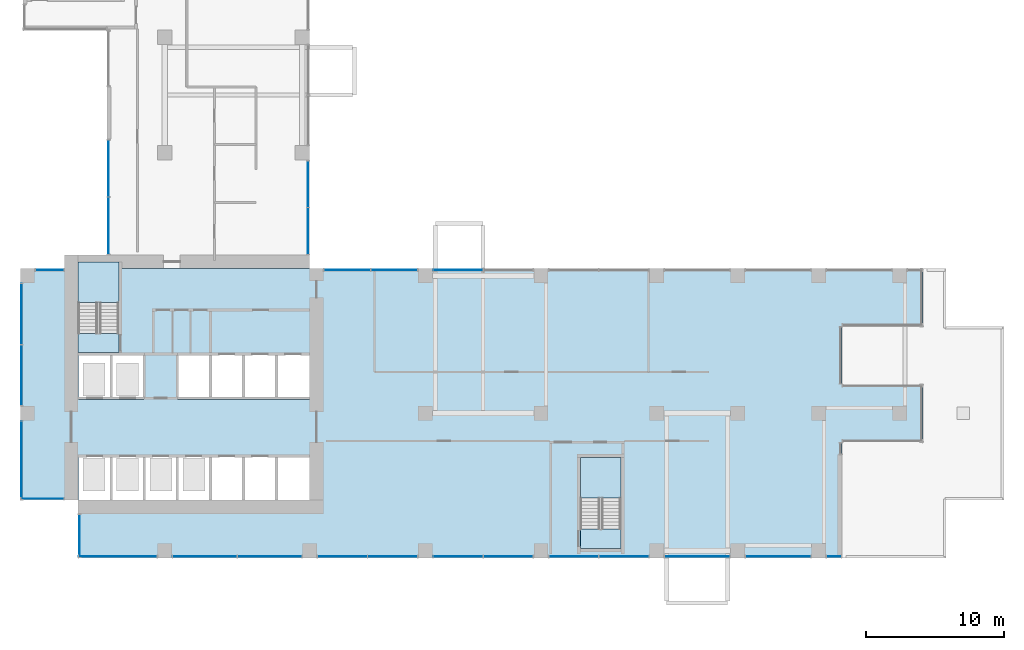
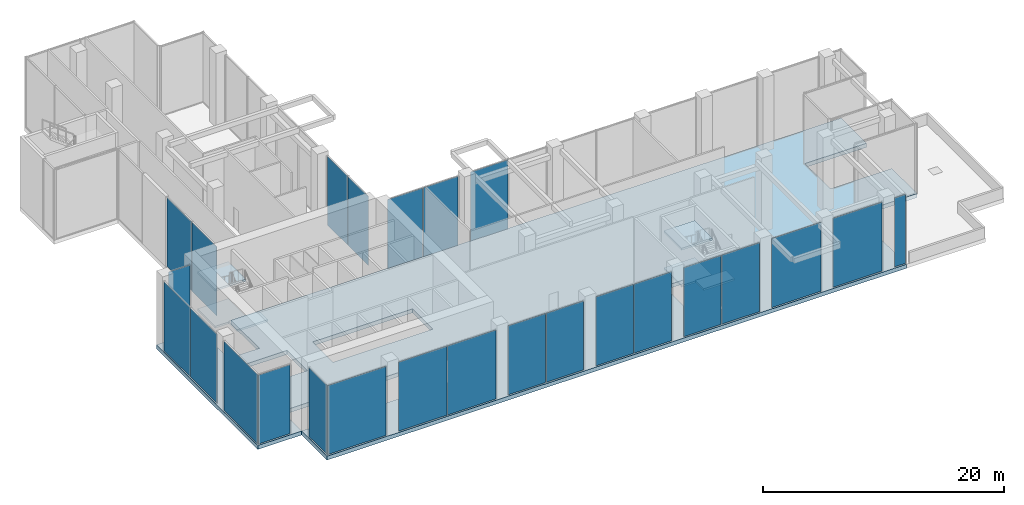
# One storey, part 8 of 18: 25 plates, 7 slabs, 19 elements without a shape of their own.
"""IFC4 building model written with IfcOpenShell, lengths in metres."""

from ifc_helpers import new_model, si_unit, direction, frame, origin, origin_2d, place, context, subcontext, project, spatial, polyline, rectangle, outline, extrude, source, transform, mapped, material, layer, layer_set, type_object, element, aggregate, save


model = new_model("IFC4")

# Units and contexts
model_context = context("Model", 3, precision=1e-05, world=origin(), true_north=direction((0.0, 1.0)))
body_context = subcontext(model_context, "Body", "Model", "MODEL_VIEW")
ifc_project = project(units=[si_unit("LENGTHUNIT", "METRE"), si_unit("AREAUNIT", "SQUARE_METRE"), si_unit("VOLUMEUNIT", "CUBIC_METRE"), si_unit("PLANEANGLEUNIT", "RADIAN"), si_unit("MASSUNIT", "GRAM", prefix="KILO")], contexts=[model_context])

# Site, building, storey
site_placement = place(None, origin())
site = spatial("IfcSite", under=ifc_project, at=site_placement, CompositionType="ELEMENT")
building_placement = place(site_placement, origin())
building = spatial("IfcBuilding", under=site, at=building_placement, Name="Aurelian Terraces", CompositionType="ELEMENT")
storey_placement = place(building_placement, frame((0.0, 0.0, 170.3)))
storey = spatial("IfcBuildingStorey", under=building, at=storey_placement, Name="L37", CompositionType="ELEMENT", Elevation=170.3)

# Curtain wall, plate
ifc_material_1 = material(Name="Anodised aluminium and clear glazing", Category="aluminium")
ifc_layer_1 = layer(ifc_material_1, 0.2)
ifc_layer_set_1 = layer_set([ifc_layer_1], Name="Lobby glazing curtain wall")
curtain_wall_type = type_object("IfcCurtainWallType", Name="Lobby glazing curtain wall", PredefinedType="NOTDEFINED", material=ifc_layer_set_1)
curtain_wall_1_placement = place(storey_placement, origin())
curtain_wall_1 = element("IfcCurtainWall", 1, at=curtain_wall_1_placement, inside=storey, type_object=curtain_wall_type, Name="Lobby glazing L37 F01.1", PredefinedType="NOTDEFINED")
ifc_material_2 = material(Name="Clear glazing", Category="glass")
ifc_layer_2 = layer(ifc_material_2, 0.028)
ifc_layer_set_2 = layer_set([ifc_layer_2], Name="Lobby glazing glazing panel")
plate_type = type_object("IfcPlateType", Name="Lobby glazing glazing panel", PredefinedType="CURTAIN_PANEL", material=ifc_layer_set_2)
plate_1_placement = place(storey_placement, frame((7.0875, 0.1, 0.06), z_axis=(0.0, 0.0, 1.0), x_axis=(1.0, 0.0, 0.0)))
plate_1 = element("IfcPlate", 2, at=plate_1_placement, type_object=plate_type, Name="CW2 panel 1.1", PredefinedType="CURTAIN_PANEL", context=body_context, shape_type="SweptSolid", body=[
    extrude(rectangle(XDim=5.655, YDim=0.028, at=origin_2d()), origin(), (0.0, 0.0, 1.0), 6.98),
])
aggregate(curtain_wall_1, [plate_1])

curtain_wall_2_placement = place(storey_placement, origin())
curtain_wall_2 = element("IfcCurtainWall", 3, at=curtain_wall_2_placement, inside=storey, type_object=curtain_wall_type, Name="Lobby glazing L37 F01.2", PredefinedType="NOTDEFINED")
plate_2_placement = place(storey_placement, frame((13.4025, 0.1, 0.06), z_axis=(0.0, 0.0, 1.0), x_axis=(1.0, 0.0, 0.0)))
plate_2 = element("IfcPlate", 4, at=plate_2_placement, type_object=plate_type, Name="CW2 panel 1.1", PredefinedType="CURTAIN_PANEL", context=body_context, shape_type="SweptSolid", body=[
    extrude(rectangle(XDim=4.635, YDim=0.028, at=origin_2d()), origin(), (0.0, 0.0, 1.0), 6.98),
])

curtain_wall_3_placement = place(storey_placement, origin())
curtain_wall_3 = element("IfcCurtainWall", 5, at=curtain_wall_3_placement, inside=storey, type_object=curtain_wall_type, Name="Lobby glazing L37 F01.3", PredefinedType="NOTDEFINED")
plate_3_placement = place(storey_placement, frame((23.3775, 0.1, 0.06), z_axis=(0.0, 0.0, 1.0), x_axis=(1.0, 0.0, 0.0)))
plate_3 = element("IfcPlate", 6, at=plate_3_placement, type_object=plate_type, Name="CW2 panel 1.1", PredefinedType="CURTAIN_PANEL", context=body_context, shape_type="SweptSolid", body=[
    extrude(rectangle(XDim=3.585, YDim=0.028, at=origin_2d()), origin(), (0.0, 0.0, 1.0), 6.98),
])

curtain_wall_4_placement = place(storey_placement, origin())
curtain_wall_4 = element("IfcCurtainWall", 7, at=curtain_wall_4_placement, inside=storey, type_object=curtain_wall_type, Name="Lobby glazing L37 F01.6", PredefinedType="NOTDEFINED")
plate_4_placement = place(storey_placement, frame((49.14, 0.1, 0.06), z_axis=(0.0, 0.0, 1.0), x_axis=(1.0, 0.0, 0.0)))
plate_4 = element("IfcPlate", 8, at=plate_4_placement, type_object=plate_type, Name="CW2 panel 1.1", PredefinedType="CURTAIN_PANEL", context=body_context, shape_type="SweptSolid", body=[
    extrude(rectangle(XDim=4.71, YDim=0.028, at=origin_2d()), origin(), (0.0, 0.0, 1.0), 6.98),
])
aggregate(curtain_wall_4, [plate_4])

curtain_wall_5_placement = place(storey_placement, origin())
curtain_wall_5 = element("IfcCurtainWall", 9, at=curtain_wall_5_placement, inside=storey, type_object=curtain_wall_type, Name="Lobby glazing L37 F01.8", PredefinedType="NOTDEFINED")
plate_5_placement = place(storey_placement, frame((59.0625, 0.1, 0.06), z_axis=(0.0, 0.0, 1.0), x_axis=(1.0, 0.0, 0.0)))
plate_5 = element("IfcPlate", 10, at=plate_5_placement, type_object=plate_type, Name="CW2 panel 1.1", PredefinedType="CURTAIN_PANEL", context=body_context, shape_type="SweptSolid", body=[
    extrude(rectangle(XDim=1.035, YDim=0.028, at=origin_2d()), origin(), (0.0, 0.0, 1.0), 6.98),
])
aggregate(curtain_wall_5, [plate_5])

curtain_wall_6_placement = place(storey_placement, origin())
curtain_wall_6 = element("IfcCurtainWall", 11, at=curtain_wall_6_placement, inside=storey, type_object=curtain_wall_type, Name="Lobby glazing L37 F09.7", PredefinedType="NOTDEFINED")
plate_6_placement = place(storey_placement, frame((27.1412, 20.9, 0.06), z_axis=(0.0, 0.0, 1.0), x_axis=(-1.0, 0.0, 0.0)))
plate_6 = element("IfcPlate", 12, at=plate_6_placement, type_object=plate_type, Name="CW2 panel 1.1", PredefinedType="CURTAIN_PANEL", context=body_context, shape_type="SweptSolid", body=[
    extrude(rectangle(XDim=3.3475, YDim=0.028, at=origin_2d()), origin(), (0.0, 0.0, 1.0), 6.98),
])

curtain_wall_7_placement = place(storey_placement, origin())
curtain_wall_7 = element("IfcCurtainWall", 13, at=curtain_wall_7_placement, inside=storey, type_object=curtain_wall_type, Name="Lobby glazing L37 F18.3", PredefinedType="NOTDEFINED")
plate_7_placement = place(storey_placement, frame((6.4, 28.285, 0.06), z_axis=(0.0, 0.0, 1.0), x_axis=(0.0, -1.0, 0.0)))
plate_7 = element("IfcPlate", 14, at=plate_7_placement, type_object=plate_type, Name="CW2 panel 1.1", PredefinedType="CURTAIN_PANEL", context=body_context, shape_type="SweptSolid", body=[
    extrude(rectangle(XDim=4.11, YDim=0.028, at=origin_2d()), origin(), (0.0, 0.0, 1.0), 6.98),
])

curtain_wall_8_placement = place(storey_placement, origin())
curtain_wall_8 = element("IfcCurtainWall", 15, at=curtain_wall_8_placement, inside=storey, type_object=curtain_wall_type, Name="Lobby glazing L37 F21.1", PredefinedType="NOTDEFINED")
plate_8_placement = place(storey_placement, frame((2.125, 20.9, 0.06), z_axis=(0.0, 0.0, 1.0), x_axis=(-1.0, 0.0, 0.0)))
plate_8 = element("IfcPlate", 16, at=plate_8_placement, type_object=plate_type, Name="CW2 panel 1.1", PredefinedType="CURTAIN_PANEL", context=body_context, shape_type="SweptSolid", body=[
    extrude(rectangle(XDim=2.03, YDim=0.028, at=origin_2d()), origin(), (0.0, 0.0, 1.0), 6.98),
])
aggregate(curtain_wall_8, [plate_8])

curtain_wall_9_placement = place(storey_placement, origin())
curtain_wall_9 = element("IfcCurtainWall", 17, at=curtain_wall_9_placement, inside=storey, type_object=curtain_wall_type, Name="Lobby glazing L37 F22.1", PredefinedType="NOTDEFINED")
plate_9_placement = place(storey_placement, frame((0.1, 17.7038, 0.06), z_axis=(0.0, 0.0, 1.0), x_axis=(0.0, -1.0, 0.0)))
plate_9 = element("IfcPlate", 18, at=plate_9_placement, type_object=plate_type, Name="CW2 panel 1.1", PredefinedType="CURTAIN_PANEL", context=body_context, shape_type="SweptSolid", body=[
    extrude(rectangle(XDim=4.3725, YDim=0.028, at=origin_2d()), origin(), (0.0, 0.0, 1.0), 6.98),
])

curtain_wall_10_placement = place(storey_placement, origin())
curtain_wall_10 = element("IfcCurtainWall", 19, at=curtain_wall_10_placement, inside=storey, type_object=curtain_wall_type, Name="Lobby glazing L37 F23.1", PredefinedType="NOTDEFINED")
plate_10_placement = place(storey_placement, frame((1.6, 4.3, 0.06), z_axis=(0.0, 0.0, 1.0), x_axis=(1.0, 0.0, 0.0)))
plate_10 = element("IfcPlate", 20, at=plate_10_placement, type_object=plate_type, Name="CW2 panel 1.1", PredefinedType="CURTAIN_PANEL", context=body_context, shape_type="SweptSolid", body=[
    extrude(rectangle(XDim=3.08, YDim=0.028, at=origin_2d()), origin(), (0.0, 0.0, 1.0), 6.98),
])
aggregate(curtain_wall_10, [plate_10])

# Slab
ifc_material_3 = material(Name="Concrete fc' 40 MPa", Category="concrete")
ifc_layer_3 = layer(ifc_material_3, 0.4)
ifc_layer_set_3 = layer_set([ifc_layer_3], Name="PT FLAT PLATE 400")
slab_type_1 = type_object("IfcSlabType", Name="PT FLAT PLATE 400", PredefinedType="FLOOR", material=ifc_layer_set_3)
slab_1_placement = place(storey_placement, frame((0.0, 0.0, -0.4)))
element("IfcSlab", 21, at=slab_1_placement, inside=storey, type_object=slab_type_1, Name="Floor slab S L37", PredefinedType="FLOOR", context=body_context, shape_type="SweptSolid", body=[
    extrude(outline(polyline([(4.2, 0.0), (4.2, 4.2), (0.0, 4.2), (0.0, 21.0), (4.21, 21.0), (4.21, 16.31), (7.14, 16.31), (7.14, 21.0), (21.0, 21.0), (65.52, 21.0), (65.52, 16.8), (59.64, 16.8), (59.64, 12.6), (65.52, 12.6), (65.52, 8.4), (59.64, 8.4), (59.64, 0.0), (21.0, 0.0), (4.2, 0.0)]), holes=[polyline([(40.66, 2.11), (43.59, 2.11), (43.59, 7.29), (40.66, 7.29), (40.66, 2.11)]), polyline([(4.21, 7.49), (4.21, 4.21), (20.99, 4.21), (20.99, 7.49), (4.21, 7.49)]), polyline([(11.41, 14.89), (11.41, 11.51), (20.99, 11.51), (20.99, 14.89), (11.41, 14.89)]), polyline([(8.99, 11.51), (8.99, 14.89), (4.21, 14.89), (4.21, 11.51), (8.99, 11.51)])]), origin(), (0.0, 0.0, 1.0), 0.4),
])

# Plate
shared_shape_1 = source(origin(), body_context, "Body", "SweptSolid", [
    extrude(rectangle(XDim=4.635, YDim=0.028, at=origin_2d()), origin(), (0.0, 0.0, 1.0), 6.98),
])
plate_11_placement = place(storey_placement, frame((18.0975, 0.1, 0.06), z_axis=(0.0, 0.0, 1.0), x_axis=(1.0, 0.0, 0.0)))
plate_11 = element("IfcPlate", 22, at=plate_11_placement, type_object=plate_type, Name="CW2 panel 2.1", PredefinedType="CURTAIN_PANEL", context=body_context, shape_type="MappedRepresentation", body=[
    mapped(shared_shape_1, transform((0.0, 0.0, 0.0), scale=1.0)),
])

aggregate(curtain_wall_2, [plate_2, plate_11])

shared_shape_2 = source(origin(), body_context, "Body", "SweptSolid", [
    extrude(rectangle(XDim=3.585, YDim=0.028, at=origin_2d()), origin(), (0.0, 0.0, 1.0), 6.98),
])
plate_12_placement = place(storey_placement, frame((27.0225, 0.1, 0.06), z_axis=(0.0, 0.0, 1.0), x_axis=(1.0, 0.0, 0.0)))
plate_12 = element("IfcPlate", 23, at=plate_12_placement, type_object=plate_type, Name="CW2 panel 2.1", PredefinedType="CURTAIN_PANEL", context=body_context, shape_type="MappedRepresentation", body=[
    mapped(shared_shape_2, transform((0.0, 0.0, 0.0), scale=1.0)),
])

aggregate(curtain_wall_3, [plate_3, plate_12])

# Curtain wall, plates
curtain_wall_11_placement = place(storey_placement, origin())
curtain_wall_11 = element("IfcCurtainWall", 24, at=curtain_wall_11_placement, inside=storey, type_object=curtain_wall_type, Name="Lobby glazing L37 F01.4", PredefinedType="NOTDEFINED")
plate_13_placement = place(storey_placement, frame((31.7775, 0.1, 0.06), z_axis=(0.0, 0.0, 1.0), x_axis=(1.0, 0.0, 0.0)))
plate_13 = element("IfcPlate", 25, at=plate_13_placement, type_object=plate_type, Name="CW2 panel 1.1", PredefinedType="CURTAIN_PANEL", context=body_context, shape_type="MappedRepresentation", body=[
    mapped(shared_shape_2, transform((0.0, 0.0, 0.0), scale=1.0)),
])
plate_14_placement = place(storey_placement, frame((35.4225, 0.1, 0.06), z_axis=(0.0, 0.0, 1.0), x_axis=(1.0, 0.0, 0.0)))
plate_14 = element("IfcPlate", 26, at=plate_14_placement, type_object=plate_type, Name="CW2 panel 2.1", PredefinedType="CURTAIN_PANEL", context=body_context, shape_type="MappedRepresentation", body=[
    mapped(shared_shape_2, transform((0.0, 0.0, 0.0), scale=1.0)),
])
aggregate(curtain_wall_11, [plate_13, plate_14])

curtain_wall_12_placement = place(storey_placement, origin())
curtain_wall_12 = element("IfcCurtainWall", 27, at=curtain_wall_12_placement, inside=storey, type_object=curtain_wall_type, Name="Lobby glazing L37 F01.5", PredefinedType="NOTDEFINED")
plate_15_placement = place(storey_placement, frame((40.1775, 0.1, 0.06), z_axis=(0.0, 0.0, 1.0), x_axis=(1.0, 0.0, 0.0)))
plate_15 = element("IfcPlate", 28, at=plate_15_placement, type_object=plate_type, Name="CW2 panel 1.1", PredefinedType="CURTAIN_PANEL", context=body_context, shape_type="MappedRepresentation", body=[
    mapped(shared_shape_2, transform((0.0, 0.0, 0.0), scale=1.0)),
])
plate_16_placement = place(storey_placement, frame((43.8225, 0.1, 0.06), z_axis=(0.0, 0.0, 1.0), x_axis=(1.0, 0.0, 0.0)))
plate_16 = element("IfcPlate", 29, at=plate_16_placement, type_object=plate_type, Name="CW2 panel 2.1", PredefinedType="CURTAIN_PANEL", context=body_context, shape_type="MappedRepresentation", body=[
    mapped(shared_shape_2, transform((0.0, 0.0, 0.0), scale=1.0)),
])
aggregate(curtain_wall_12, [plate_15, plate_16])

# Curtain wall, plate
curtain_wall_13_placement = place(storey_placement, origin())
curtain_wall_13 = element("IfcCurtainWall", 30, at=curtain_wall_13_placement, inside=storey, type_object=curtain_wall_type, Name="Lobby glazing L37 F09.6", PredefinedType="NOTDEFINED")
plate_17_placement = place(storey_placement, frame((31.7775, 20.9, 0.06), z_axis=(0.0, 0.0, 1.0), x_axis=(-1.0, 0.0, 0.0)))
plate_17 = element("IfcPlate", 31, at=plate_17_placement, type_object=plate_type, Name="CW2 panel 2.1", PredefinedType="CURTAIN_PANEL", context=body_context, shape_type="MappedRepresentation", body=[
    mapped(shared_shape_2, transform((0.0, 0.0, 0.0), scale=1.0)),
])
aggregate(curtain_wall_13, [plate_17])

curtain_wall_14_placement = place(storey_placement, origin())
curtain_wall_14 = element("IfcCurtainWall", 32, at=curtain_wall_14_placement, inside=storey, type_object=curtain_wall_type, Name="Lobby glazing L37 F01.7", PredefinedType="NOTDEFINED")
shared_shape_3 = source(origin(), body_context, "Body", "SweptSolid", [
    extrude(rectangle(XDim=4.71, YDim=0.028, at=origin_2d()), origin(), (0.0, 0.0, 1.0), 6.98),
])
plate_18_placement = place(storey_placement, frame((55.02, 0.1, 0.06), z_axis=(0.0, 0.0, 1.0), x_axis=(1.0, 0.0, 0.0)))
plate_18 = element("IfcPlate", 33, at=plate_18_placement, type_object=plate_type, Name="CW2 panel 1.1", PredefinedType="CURTAIN_PANEL", context=body_context, shape_type="MappedRepresentation", body=[
    mapped(shared_shape_3, transform((0.0, 0.0, 0.0), scale=1.0)),
])
aggregate(curtain_wall_14, [plate_18])

# Plate
shared_shape_4 = source(origin(), body_context, "Body", "SweptSolid", [
    extrude(rectangle(XDim=3.3475, YDim=0.028, at=origin_2d()), origin(), (0.0, 0.0, 1.0), 6.98),
])
plate_19_placement = place(storey_placement, frame((23.7338, 20.9, 0.06), z_axis=(0.0, 0.0, 1.0), x_axis=(-1.0, 0.0, 0.0)))
plate_19 = element("IfcPlate", 34, at=plate_19_placement, type_object=plate_type, Name="CW2 panel 2.1", PredefinedType="CURTAIN_PANEL", context=body_context, shape_type="MappedRepresentation", body=[
    mapped(shared_shape_4, transform((0.0, 0.0, 0.0), scale=1.0)),
])

aggregate(curtain_wall_6, [plate_6, plate_19])

# Curtain wall, plates
curtain_wall_15_placement = place(storey_placement, origin())
curtain_wall_15 = element("IfcCurtainWall", 35, at=curtain_wall_15_placement, inside=storey, type_object=curtain_wall_type, Name="Lobby glazing L37 F10.1", PredefinedType="NOTDEFINED")
plate_20_placement = place(storey_placement, frame((20.9, 23.7338, 0.06), z_axis=(0.0, 0.0, 1.0), x_axis=(0.0, 1.0, 0.0)))
plate_20 = element("IfcPlate", 36, at=plate_20_placement, type_object=plate_type, Name="CW2 panel 1.1", PredefinedType="CURTAIN_PANEL", context=body_context, shape_type="MappedRepresentation", body=[
    mapped(shared_shape_4, transform((0.0, 0.0, 0.0), scale=1.0)),
])
plate_21_placement = place(storey_placement, frame((20.9, 27.1412, 0.06), z_axis=(0.0, 0.0, 1.0), x_axis=(0.0, 1.0, 0.0)))
plate_21 = element("IfcPlate", 37, at=plate_21_placement, type_object=plate_type, Name="CW2 panel 2.1", PredefinedType="CURTAIN_PANEL", context=body_context, shape_type="MappedRepresentation", body=[
    mapped(shared_shape_4, transform((0.0, 0.0, 0.0), scale=1.0)),
])
aggregate(curtain_wall_15, [plate_20, plate_21])

# Plate
shared_shape_5 = source(origin(), body_context, "Body", "SweptSolid", [
    extrude(rectangle(XDim=4.11, YDim=0.028, at=origin_2d()), origin(), (0.0, 0.0, 1.0), 6.98),
])
plate_22_placement = place(storey_placement, frame((6.4, 24.115, 0.06), z_axis=(0.0, 0.0, 1.0), x_axis=(0.0, -1.0, 0.0)))
plate_22 = element("IfcPlate", 38, at=plate_22_placement, type_object=plate_type, Name="CW2 panel 2.1", PredefinedType="CURTAIN_PANEL", context=body_context, shape_type="MappedRepresentation", body=[
    mapped(shared_shape_5, transform((0.0, 0.0, 0.0), scale=1.0)),
])

aggregate(curtain_wall_7, [plate_7, plate_22])

shared_shape_6 = source(origin(), body_context, "Body", "SweptSolid", [
    extrude(rectangle(XDim=4.3725, YDim=0.028, at=origin_2d()), origin(), (0.0, 0.0, 1.0), 6.98),
])
plate_23_placement = place(storey_placement, frame((0.1, 13.2712, 0.06), z_axis=(0.0, 0.0, 1.0), x_axis=(0.0, -1.0, 0.0)))
plate_23 = element("IfcPlate", 39, at=plate_23_placement, type_object=plate_type, Name="CW2 panel 2.1", PredefinedType="CURTAIN_PANEL", context=body_context, shape_type="MappedRepresentation", body=[
    mapped(shared_shape_6, transform((0.0, 0.0, 0.0), scale=1.0)),
])

aggregate(curtain_wall_9, [plate_9, plate_23])

# Curtain wall, plate
curtain_wall_16_placement = place(storey_placement, origin())
curtain_wall_16 = element("IfcCurtainWall", 40, at=curtain_wall_16_placement, inside=storey, type_object=curtain_wall_type, Name="Lobby glazing L37 F22.2", PredefinedType="NOTDEFINED")
shared_shape_7 = source(origin(), body_context, "Body", "SweptSolid", [
    extrude(rectangle(XDim=5.655, YDim=0.028, at=origin_2d()), origin(), (0.0, 0.0, 1.0), 6.98),
])
plate_24_placement = place(storey_placement, frame((0.1, 7.0875, 0.06), z_axis=(0.0, 0.0, 1.0), x_axis=(0.0, -1.0, 0.0)))
plate_24 = element("IfcPlate", 41, at=plate_24_placement, type_object=plate_type, Name="CW2 panel 1.1", PredefinedType="CURTAIN_PANEL", context=body_context, shape_type="MappedRepresentation", body=[
    mapped(shared_shape_7, transform((0.0, 0.0, 0.0), scale=1.0)),
])
aggregate(curtain_wall_16, [plate_24])

curtain_wall_17_placement = place(storey_placement, origin())
curtain_wall_17 = element("IfcCurtainWall", 42, at=curtain_wall_17_placement, inside=storey, type_object=curtain_wall_type, Name="Lobby glazing L37 F24.1", PredefinedType="NOTDEFINED")
shared_shape_8 = source(origin(), body_context, "Body", "SweptSolid", [
    extrude(rectangle(XDim=3.08, YDim=0.028, at=origin_2d()), origin(), (0.0, 0.0, 1.0), 6.98),
])
plate_25_placement = place(storey_placement, frame((4.3, 1.6, 0.06), z_axis=(0.0, 0.0, 1.0), x_axis=(0.0, -1.0, 0.0)))
plate_25 = element("IfcPlate", 43, at=plate_25_placement, type_object=plate_type, Name="CW2 panel 1.1", PredefinedType="CURTAIN_PANEL", context=body_context, shape_type="MappedRepresentation", body=[
    mapped(shared_shape_8, transform((0.0, 0.0, 0.0), scale=1.0)),
])
aggregate(curtain_wall_17, [plate_25])

# Stair, slabs
stair_type = type_object("IfcStairType", Name="Stair 1400", PredefinedType="HALF_TURN_STAIR", material=ifc_material_3)
stair_1_placement = place(storey_placement, origin())
stair_1 = element("IfcStair", 44, at=stair_1_placement, inside=storey, type_object=stair_type, Name="L37 S1", PredefinedType="HALF_TURN_STAIR")
ifc_layer_4 = layer(ifc_material_3, 0.2)
ifc_layer_set_4 = layer_set([ifc_layer_4], Name="Stair landing 200")
slab_type_2 = type_object("IfcSlabType", Name="Stair landing 200", PredefinedType="LANDING", material=ifc_layer_set_4)
shared_shape_9 = source(origin(), body_context, "Body", "SweptSolid", [
    extrude(outline(polyline([(7.15, 18.55), (7.15, 21.5), (4.2, 21.5), (4.2, 18.55), (7.15, 18.55)])), origin(), (0.0, 0.0, 1.0), 0.2),
])
slab_2_placement = place(storey_placement, frame((0.0, 0.0, 1.675)))
slab_2 = element("IfcSlab", 45, at=slab_2_placement, type_object=slab_type_2, Name="S1 landing 1", PredefinedType="LANDING", context=body_context, shape_type="MappedRepresentation", body=[
    mapped(shared_shape_9, transform((0.0, 0.0, 0.0), scale=1.0)),
])
slab_3_placement = place(storey_placement, frame((0.0, 0.0, 5.425)))
slab_3 = element("IfcSlab", 46, at=slab_3_placement, type_object=slab_type_2, Name="S1 landing 3", PredefinedType="LANDING", context=body_context, shape_type="MappedRepresentation", body=[
    mapped(shared_shape_9, transform((0.0, 0.0, 0.0), scale=1.0)),
])
shared_shape_10 = source(origin(), body_context, "Body", "SweptSolid", [
    extrude(outline(polyline([(7.15, 14.9), (7.15, 16.3), (4.2, 16.3), (4.2, 14.9), (7.15, 14.9)])), origin(), (0.0, 0.0, 1.0), 0.2),
])
slab_4_placement = place(storey_placement, frame((0.0, 0.0, 3.55)))
slab_4 = element("IfcSlab", 47, at=slab_4_placement, type_object=slab_type_2, Name="S1 landing 2", PredefinedType="LANDING", context=body_context, shape_type="MappedRepresentation", body=[
    mapped(shared_shape_10, transform((0.0, 0.0, 0.0), scale=1.0)),
])
aggregate(stair_1, [slab_2, slab_4, slab_3])

stair_2_placement = place(storey_placement, origin())
stair_2 = element("IfcStair", 48, at=stair_2_placement, inside=storey, type_object=stair_type, Name="L37 S2", PredefinedType="HALF_TURN_STAIR")
shared_shape_11 = source(origin(), body_context, "Body", "SweptSolid", [
    extrude(outline(polyline([(43.6, 4.35), (43.6, 7.3), (40.65, 7.3), (40.65, 4.35), (43.6, 4.35)])), origin(), (0.0, 0.0, 1.0), 0.2),
])
slab_5_placement = place(storey_placement, frame((0.0, 0.0, 1.675)))
slab_5 = element("IfcSlab", 49, at=slab_5_placement, type_object=slab_type_2, Name="S2 landing 1", PredefinedType="LANDING", context=body_context, shape_type="MappedRepresentation", body=[
    mapped(shared_shape_11, transform((0.0, 0.0, 0.0), scale=1.0)),
])
slab_6_placement = place(storey_placement, frame((0.0, 0.0, 5.425)))
slab_6 = element("IfcSlab", 50, at=slab_6_placement, type_object=slab_type_2, Name="S2 landing 3", PredefinedType="LANDING", context=body_context, shape_type="MappedRepresentation", body=[
    mapped(shared_shape_11, transform((0.0, 0.0, 0.0), scale=1.0)),
])
shared_shape_12 = source(origin(), body_context, "Body", "SweptSolid", [
    extrude(outline(polyline([(43.6, 0.7), (43.6, 2.1), (40.65, 2.1), (40.65, 0.7), (43.6, 0.7)])), origin(), (0.0, 0.0, 1.0), 0.2),
])
slab_7_placement = place(storey_placement, frame((0.0, 0.0, 3.55)))
slab_7 = element("IfcSlab", 51, at=slab_7_placement, type_object=slab_type_2, Name="S2 landing 2", PredefinedType="LANDING", context=body_context, shape_type="MappedRepresentation", body=[
    mapped(shared_shape_12, transform((0.0, 0.0, 0.0), scale=1.0)),
])
aggregate(stair_2, [slab_5, slab_7, slab_6])

save(model, "model.ifc")
